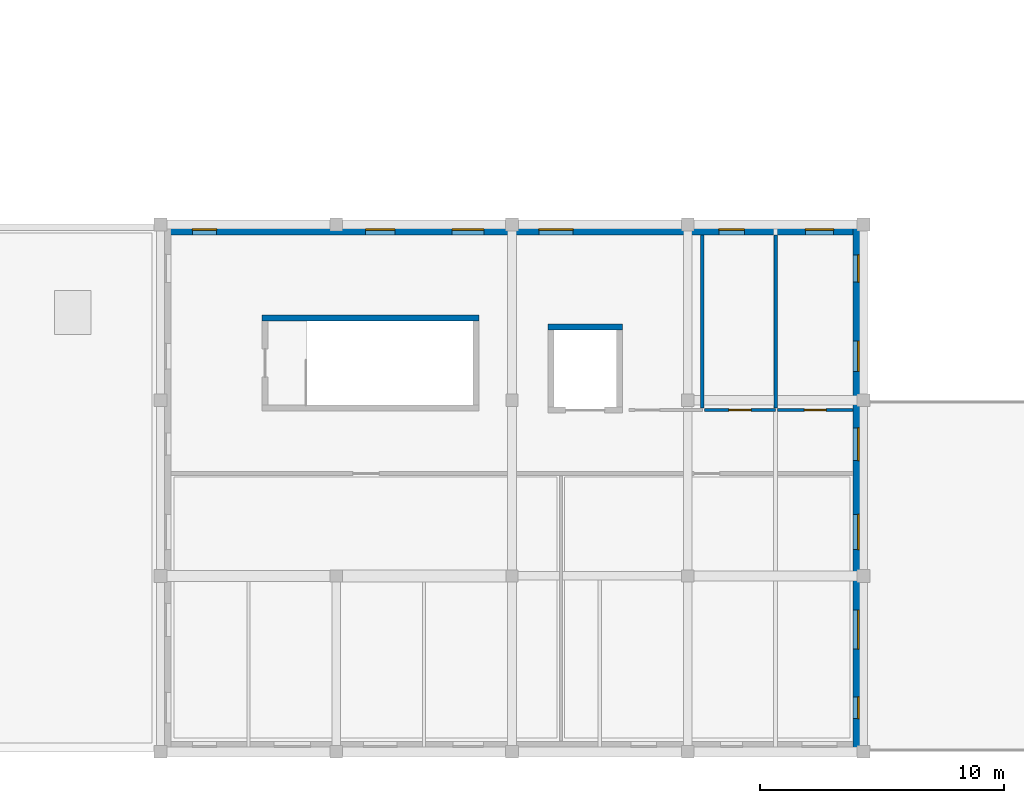
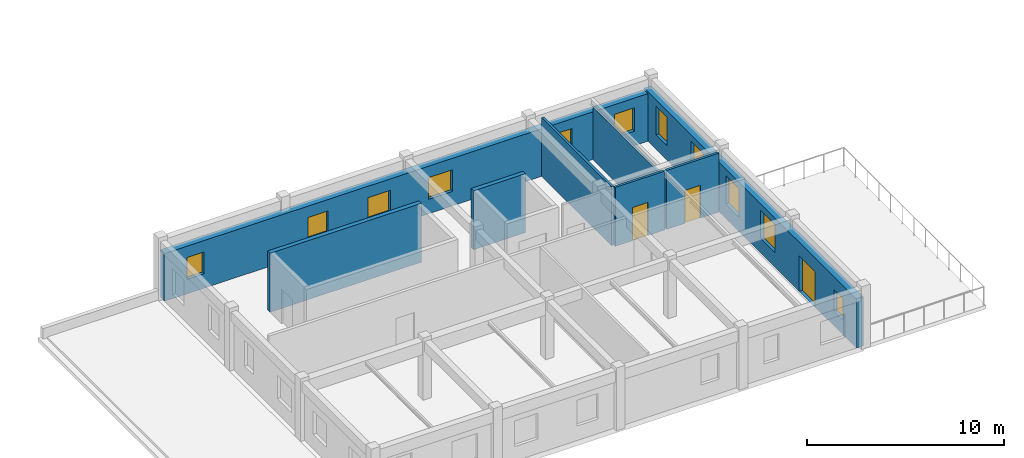
# One storey, part 10 of 20: 11 windows, 8 walls, 3 doors, 14 openings.
"""IFC4 building model written with IfcOpenShell, lengths in metres."""

from ifc_helpers import new_model, si_unit, direction, frame, frame_2d, origin, place, context, subcontext, project, spatial, rectangle, extrude, material, layer, layer_set, type_object, element, fill, save


model = new_model("IFC4")

# Units and contexts
model_context = context("Model", 3, precision=1e-05, world=origin(), true_north=direction((0.0, 1.0)))
body_context = subcontext(model_context, "Body", "Model", "MODEL_VIEW")
ifc_project = project(units=[si_unit("LENGTHUNIT", "METRE"), si_unit("AREAUNIT", "SQUARE_METRE"), si_unit("VOLUMEUNIT", "CUBIC_METRE"), si_unit("PLANEANGLEUNIT", "RADIAN"), si_unit("MASSUNIT", "GRAM", prefix="KILO")], contexts=[model_context])

# Site, building, storey
site_placement = place(None, origin())
site = spatial("IfcSite", under=ifc_project, at=site_placement, CompositionType="ELEMENT")
building_placement = place(site_placement, origin())
building = spatial("IfcBuilding", under=site, at=building_placement, Name="Bramveld Media Centre", CompositionType="ELEMENT")
storey_placement = place(building_placement, frame((0.0, 0.0, 18.0)))
storey = spatial("IfcBuildingStorey", under=building, at=storey_placement, Name="L04", CompositionType="ELEMENT", Elevation=18.0)

# Walls
ifc_material_1 = material(Name="Concrete C40/50 stair & lift core wall", Category="concrete")
ifc_layer_1 = layer(ifc_material_1, 0.25)
ifc_layer_set_1 = layer_set([ifc_layer_1], Name="Concrete C40/50 stair & lift core wall")
wall_type_1 = type_object("IfcWallType", Name="CWALL-SHEAR-250", PredefinedType="SHEAR", material=ifc_layer_set_1)
wall_1_placement = place(storey_placement, frame((78.64990234375, 17.77490234375, 0.0), z_axis=(0.0, 0.0, 1.0), x_axis=(-1.0, 0.0, 0.0)))
element("IfcWall", 1, at=wall_1_placement, inside=storey, type_object=wall_type_1, Name="ST-06 L04 stair core shear wall N", PredefinedType="SHEAR", context=body_context, shape_type="SweptSolid", body=[
    extrude(rectangle(XDim=8.89990234375, YDim=0.25, at=frame_2d((4.449951171875, 0.0))), origin(), (0.0, 0.0, 1.0), 3.659912109375),
])
wall_2_placement = place(storey_placement, frame((84.52490234375, 17.39990234375, 0.0), z_axis=(0.0, 0.0, 1.0), x_axis=(-1.0, 0.0, 0.0)))
element("IfcWall", 2, at=wall_2_placement, inside=storey, type_object=wall_type_1, Name="GL-01 L04 lift shaft wall N", PredefinedType="SHEAR", context=body_context, shape_type="SweptSolid", body=[
    extrude(rectangle(XDim=3.0498046875, YDim=0.25, at=frame_2d((1.52490234375, 0.0))), origin(), (0.0, 0.0, 1.0), 3.659912109375),
])

# Wall, openings, door, windows
ifc_material_2 = material(Name="Flemish red-brown clay facing brick cavity wall with concrete C35/45 inner leaf", Category="masonry")
ifc_layer_2 = layer(ifc_material_2, 0.419921875)
ifc_layer_set_2 = layer_set([ifc_layer_2], Name="Flemish red-brown clay facing brick cavity wall with concrete C35/45 inner leaf")
wall_type_2 = type_object("IfcWallType", Name="EW-BRK-420", PredefinedType="SOLIDWALL", material=ifc_layer_set_2)
wall_3_placement = place(storey_placement, frame((94.18994140625, 21.60009765625, 0.0), z_axis=(0.0, 0.0, 1.0), x_axis=(0.0, -1.0, 0.0)))
wall_3 = element("IfcWall", 3, at=wall_3_placement, inside=storey, type_object=wall_type_2, Name="V5 L04 E facing brick exterior wall", PredefinedType="SOLIDWALL", context=body_context, shape_type="SweptSolid", body=[
    extrude(rectangle(XDim=21.60009765625, YDim=0.419921875, at=frame_2d((10.800048828125, 0.0))), origin(), (0.0, 0.0, 1.0), 3.054931640625),
])
opening_1_placement = place(wall_3_placement, frame((15.800048828125, 0.0, 0.0)))
opening_1 = element("IfcOpeningElement", 4, at=opening_1_placement, cuts=wall_3, Name="Opening TD-07", PredefinedType="OPENING", context=body_context, shape_type="SweptSolid", body=[
    extrude(rectangle(XDim=1.60009765625, YDim=2.199951171875, at=frame_2d((0.800048828125, 1.10009765625))), frame((0.0, 0.221923828125, 0.0), z_axis=(0.0, -1.0, 0.0), x_axis=(1.0, 0.0, 0.0)), (0.0, 0.0, 1.0), 0.44384765625),
])
opening_2_placement = place(wall_3_placement, frame((1.239990234375, 0.0, 0.89990234375)))
opening_2 = element("IfcOpeningElement", 5, at=opening_2_placement, cuts=wall_3, Name="Opening W-20", PredefinedType="OPENING", context=body_context, shape_type="SweptSolid", body=[
    extrude(rectangle(XDim=1.1201171875, YDim=1.75, at=frame_2d((0.56005859375, 0.875))), frame((0.0, 0.221923828125, 0.0), z_axis=(0.0, -1.0, 0.0), x_axis=(1.0, 0.0, 0.0)), (0.0, 0.0, 1.0), 0.44384765625),
])
opening_3_placement = place(wall_3_placement, frame((4.780029296875, 0.0, 0.89990234375)))
opening_3 = element("IfcOpeningElement", 6, at=opening_3_placement, cuts=wall_3, Name="Opening W-21", PredefinedType="OPENING", context=body_context, shape_type="SweptSolid", body=[
    extrude(rectangle(XDim=1.239990234375, YDim=1.75, at=frame_2d((0.6201171875, 0.875))), frame((0.0, 0.221923828125, 0.0), z_axis=(0.0, -1.0, 0.0), x_axis=(1.0, 0.0, 0.0)), (0.0, 0.0, 1.0), 0.44384765625),
])
opening_4_placement = place(wall_3_placement, frame((8.330078125, 0.0, 0.89990234375)))
opening_4 = element("IfcOpeningElement", 7, at=opening_4_placement, cuts=wall_3, Name="Opening W-22", PredefinedType="OPENING", context=body_context, shape_type="SweptSolid", body=[
    extrude(rectangle(XDim=1.340087890625, YDim=1.75, at=frame_2d((0.669921875, 0.875))), frame((0.0, 0.221923828125, 0.0), z_axis=(0.0, -1.0, 0.0), x_axis=(1.0, 0.0, 0.0)), (0.0, 0.0, 1.0), 0.44384765625),
])
opening_5_placement = place(wall_3_placement, frame((11.8798828125, 0.0, 0.89990234375)))
opening_5 = element("IfcOpeningElement", 8, at=opening_5_placement, cuts=wall_3, Name="Opening W-23", PredefinedType="OPENING", context=body_context, shape_type="SweptSolid", body=[
    extrude(rectangle(XDim=1.43994140625, YDim=1.75, at=frame_2d((0.719970703125, 0.875))), frame((0.0, 0.221923828125, 0.0), z_axis=(0.0, -1.0, 0.0), x_axis=(1.0, 0.0, 0.0)), (0.0, 0.0, 1.0), 0.44384765625),
])
opening_6_placement = place(wall_3_placement, frame((19.35009765625, 0.0, 0.89990234375)))
opening_6 = element("IfcOpeningElement", 9, at=opening_6_placement, cuts=wall_3, Name="Opening W-01", PredefinedType="OPENING", context=body_context, shape_type="SweptSolid", body=[
    extrude(rectangle(XDim=0.89990234375, YDim=1.35009765625, at=frame_2d((0.449951171875, 0.675048828125))), frame((0.0, 0.221923828125, 0.0), z_axis=(0.0, -1.0, 0.0), x_axis=(1.0, 0.0, 0.0)), (0.0, 0.0, 1.0), 0.44384765625),
])
ifc_material_3 = material(Name="Insulated powder-coated bronze aluminium & laminated safety glass door", Category="aluminium")
door_type_1 = type_object("IfcDoorType", Name="DR-TER-1600", OperationType="NOTDEFINED", PredefinedType="DOOR", material=ifc_material_3)
door_1_placement = place(opening_1_placement, origin())
door_1 = element("IfcDoor", 10, at=door_1_placement, inside=storey, type_object=door_type_1, Name="Exterior door TD-07", OperationType="SINGLE_SWING_LEFT", OverallHeight=2.199951171875, OverallWidth=1.60009765625, PredefinedType="DOOR", context=body_context, shape_type="SweptSolid", body=[
    extrude(rectangle(XDim=1.60009765625, YDim=2.199951171875, at=frame_2d((0.800048828125, 1.10009765625))), frame((0.0, 0.02490234375, 0.0), z_axis=(0.0, -1.0, 0.0), x_axis=(1.0, 0.0, 0.0)), (0.0, 0.0, 1.0), 0.050048828125),
])
fill(opening_1, door_1)
ifc_material_4 = material(Name="Thermally broken anodized bronze aluminium frame with triple acoustic glazing", Category="aluminium")
window_type_1 = type_object("IfcWindowType", Name="WIN-FAC-01", PartitioningType="SINGLE_PANEL", PredefinedType="WINDOW", material=ifc_material_4)
window_1_placement = place(opening_6_placement, origin())
window_1 = element("IfcWindow", 11, at=window_1_placement, inside=storey, type_object=window_type_1, Name="V5 L04 E acoustic facade window", OverallHeight=1.35009765625, OverallWidth=0.89990234375, PartitioningType="SINGLE_PANEL", PredefinedType="WINDOW", context=body_context, shape_type="SweptSolid", body=[
    extrude(rectangle(XDim=0.89990234375, YDim=1.35009765625, at=frame_2d((0.449951171875, 0.675048828125))), frame((0.0, 0.030029296875, 0.0), z_axis=(0.0, -1.0, 0.0), x_axis=(1.0, 0.0, 0.0)), (0.0, 0.0, 1.0), 0.06005859375),
])
fill(opening_6, window_1)
ifc_material_5 = material(Name="Thermally broken anodized bronze aluminium frame with triple acoustic glazing", Category="aluminium")
window_type_2 = type_object("IfcWindowType", Name="WIN-FAC-20", PartitioningType="SINGLE_PANEL", PredefinedType="WINDOW", material=ifc_material_5)
window_2_placement = place(opening_2_placement, origin())
window_2 = element("IfcWindow", 12, at=window_2_placement, inside=storey, type_object=window_type_2, Name="V5 L04 E acoustic facade window", OverallHeight=1.75, OverallWidth=1.1201171875, PartitioningType="SINGLE_PANEL", PredefinedType="WINDOW", context=body_context, shape_type="SweptSolid", body=[
    extrude(rectangle(XDim=1.1201171875, YDim=1.75, at=frame_2d((0.56005859375, 0.875))), frame((0.0, 0.030029296875, 0.0), z_axis=(0.0, -1.0, 0.0), x_axis=(1.0, 0.0, 0.0)), (0.0, 0.0, 1.0), 0.06005859375),
])
fill(opening_2, window_2)
ifc_material_6 = material(Name="Thermally broken anodized bronze aluminium frame with triple acoustic glazing", Category="aluminium")
window_type_3 = type_object("IfcWindowType", Name="WIN-FAC-21", PartitioningType="SINGLE_PANEL", PredefinedType="WINDOW", material=ifc_material_6)
window_3_placement = place(opening_3_placement, origin())
window_3 = element("IfcWindow", 13, at=window_3_placement, inside=storey, type_object=window_type_3, Name="V5 L04 E acoustic facade window", OverallHeight=1.75, OverallWidth=1.239990234375, PartitioningType="SINGLE_PANEL", PredefinedType="WINDOW", context=body_context, shape_type="SweptSolid", body=[
    extrude(rectangle(XDim=1.239990234375, YDim=1.75, at=frame_2d((0.6201171875, 0.875))), frame((0.0, 0.030029296875, 0.0), z_axis=(0.0, -1.0, 0.0), x_axis=(1.0, 0.0, 0.0)), (0.0, 0.0, 1.0), 0.06005859375),
])
fill(opening_3, window_3)
ifc_material_7 = material(Name="Thermally broken anodized bronze aluminium frame with triple acoustic glazing", Category="aluminium")
window_type_4 = type_object("IfcWindowType", Name="WIN-FAC-22", PartitioningType="SINGLE_PANEL", PredefinedType="WINDOW", material=ifc_material_7)
window_4_placement = place(opening_4_placement, origin())
window_4 = element("IfcWindow", 14, at=window_4_placement, inside=storey, type_object=window_type_4, Name="V5 L04 E acoustic facade window", OverallHeight=1.75, OverallWidth=1.340087890625, PartitioningType="SINGLE_PANEL", PredefinedType="WINDOW", context=body_context, shape_type="SweptSolid", body=[
    extrude(rectangle(XDim=1.340087890625, YDim=1.75, at=frame_2d((0.669921875, 0.875))), frame((0.0, 0.030029296875, 0.0), z_axis=(0.0, -1.0, 0.0), x_axis=(1.0, 0.0, 0.0)), (0.0, 0.0, 1.0), 0.06005859375),
])
fill(opening_4, window_4)
ifc_material_8 = material(Name="Thermally broken anodized bronze aluminium frame with triple acoustic glazing", Category="aluminium")
window_type_5 = type_object("IfcWindowType", Name="WIN-FAC-23", PartitioningType="SINGLE_PANEL", PredefinedType="WINDOW", material=ifc_material_8)
window_5_placement = place(opening_5_placement, origin())
window_5 = element("IfcWindow", 15, at=window_5_placement, inside=storey, type_object=window_type_5, Name="V5 L04 E acoustic facade window", OverallHeight=1.75, OverallWidth=1.43994140625, PartitioningType="SINGLE_PANEL", PredefinedType="WINDOW", context=body_context, shape_type="SweptSolid", body=[
    extrude(rectangle(XDim=1.43994140625, YDim=1.75, at=frame_2d((0.719970703125, 0.875))), frame((0.0, 0.030029296875, 0.0), z_axis=(0.0, -1.0, 0.0), x_axis=(1.0, 0.0, 0.0)), (0.0, 0.0, 1.0), 0.06005859375),
])
fill(opening_5, window_5)

# Wall, openings, windows
wall_4_placement = place(storey_placement, frame((65.60009765625, 21.389892578125, 0.0), z_axis=(0.0, 0.0, 1.0), x_axis=(1.0, 0.0, 0.0)))
wall_4 = element("IfcWall", 16, at=wall_4_placement, inside=storey, type_object=wall_type_2, Name="V5 L04 N facing brick exterior wall", PredefinedType="SOLIDWALL", context=body_context, shape_type="SweptSolid", body=[
    extrude(rectangle(XDim=28.7998046875, YDim=0.419921875, at=frame_2d((14.39990234375, 0.0))), origin(), (0.0, 0.0, 1.0), 2.955078125),
])
opening_7_placement = place(wall_4_placement, frame((1.300048828125, 0.0, 0.89990234375)))
opening_7 = element("IfcOpeningElement", 17, at=opening_7_placement, cuts=wall_4, Name="Opening W-02", PredefinedType="OPENING", context=body_context, shape_type="SweptSolid", body=[
    extrude(rectangle(XDim=1.0, YDim=1.35009765625, at=frame_2d((0.5, 0.675048828125))), frame((0.0, 0.221923828125, 0.0), z_axis=(0.0, -1.0, 0.0), x_axis=(1.0, 0.0, 0.0)), (0.0, 0.0, 1.0), 0.44384765625),
])
opening_8_placement = place(wall_4_placement, frame((8.39990234375, 0.0, 0.89990234375)))
opening_8 = element("IfcOpeningElement", 18, at=opening_8_placement, cuts=wall_4, Name="Opening W-04", PredefinedType="OPENING", context=body_context, shape_type="SweptSolid", body=[
    extrude(rectangle(XDim=1.199951171875, YDim=1.35009765625, at=frame_2d((0.60009765625, 0.675048828125))), frame((0.0, 0.221923828125, 0.0), z_axis=(0.0, -1.0, 0.0), x_axis=(1.0, 0.0, 0.0)), (0.0, 0.0, 1.0), 0.44384765625),
])
opening_9_placement = place(wall_4_placement, frame((11.949951171875, 0.0, 0.89990234375)))
opening_9 = element("IfcOpeningElement", 19, at=opening_9_placement, cuts=wall_4, Name="Opening W-05", PredefinedType="OPENING", context=body_context, shape_type="SweptSolid", body=[
    extrude(rectangle(XDim=1.300048828125, YDim=1.35009765625, at=frame_2d((0.64990234375, 0.675048828125))), frame((0.0, 0.221923828125, 0.0), z_axis=(0.0, -1.0, 0.0), x_axis=(1.0, 0.0, 0.0)), (0.0, 0.0, 1.0), 0.44384765625),
])
opening_10_placement = place(wall_4_placement, frame((15.5, 0.0, 0.89990234375)))
opening_10 = element("IfcOpeningElement", 20, at=opening_10_placement, cuts=wall_4, Name="Opening W-06", PredefinedType="OPENING", context=body_context, shape_type="SweptSolid", body=[
    extrude(rectangle(XDim=1.39990234375, YDim=1.35009765625, at=frame_2d((0.699951171875, 0.675048828125))), frame((0.0, 0.221923828125, 0.0), z_axis=(0.0, -1.0, 0.0), x_axis=(1.0, 0.0, 0.0)), (0.0, 0.0, 1.0), 0.44384765625),
])
opening_11_placement = place(wall_4_placement, frame((22.875, 0.0, 0.89990234375)))
opening_11 = element("IfcOpeningElement", 21, at=opening_11_placement, cuts=wall_4, Name="Opening W-08", PredefinedType="OPENING", context=body_context, shape_type="SweptSolid", body=[
    extrude(rectangle(XDim=1.050048828125, YDim=1.449951171875, at=frame_2d((0.52490234375, 0.72509765625))), frame((0.0, 0.221923828125, 0.0), z_axis=(0.0, -1.0, 0.0), x_axis=(1.0, 0.0, 0.0)), (0.0, 0.0, 1.0), 0.44384765625),
])
opening_12_placement = place(wall_4_placement, frame((26.425048828125, 0.0, 0.89990234375)))
opening_12 = element("IfcOpeningElement", 22, at=opening_12_placement, cuts=wall_4, Name="Opening W-09", PredefinedType="OPENING", context=body_context, shape_type="SweptSolid", body=[
    extrude(rectangle(XDim=1.14990234375, YDim=1.449951171875, at=frame_2d((0.574951171875, 0.72509765625))), frame((0.0, 0.221923828125, 0.0), z_axis=(0.0, -1.0, 0.0), x_axis=(1.0, 0.0, 0.0)), (0.0, 0.0, 1.0), 0.44384765625),
])
ifc_material_9 = material(Name="Thermally broken anodized bronze aluminium frame with triple acoustic glazing", Category="aluminium")
window_type_6 = type_object("IfcWindowType", Name="WIN-FAC-02", PartitioningType="SINGLE_PANEL", PredefinedType="WINDOW", material=ifc_material_9)
window_6_placement = place(opening_7_placement, origin())
window_6 = element("IfcWindow", 23, at=window_6_placement, inside=storey, type_object=window_type_6, Name="V5 L04 N acoustic facade window", OverallHeight=1.35009765625, OverallWidth=1.0, PartitioningType="SINGLE_PANEL", PredefinedType="WINDOW", context=body_context, shape_type="SweptSolid", body=[
    extrude(rectangle(XDim=1.0, YDim=1.35009765625, at=frame_2d((0.5, 0.675048828125))), frame((0.0, 0.030029296875, 0.0), z_axis=(0.0, -1.0, 0.0), x_axis=(1.0, 0.0, 0.0)), (0.0, 0.0, 1.0), 0.06005859375),
])
fill(opening_7, window_6)
ifc_material_10 = material(Name="Thermally broken anodized bronze aluminium frame with triple acoustic glazing", Category="aluminium")
window_type_7 = type_object("IfcWindowType", Name="WIN-FAC-04", PartitioningType="SINGLE_PANEL", PredefinedType="WINDOW", material=ifc_material_10)
window_7_placement = place(opening_8_placement, origin())
window_7 = element("IfcWindow", 24, at=window_7_placement, inside=storey, type_object=window_type_7, Name="V5 L04 N acoustic facade window", OverallHeight=1.35009765625, OverallWidth=1.199951171875, PartitioningType="SINGLE_PANEL", PredefinedType="WINDOW", context=body_context, shape_type="SweptSolid", body=[
    extrude(rectangle(XDim=1.199951171875, YDim=1.35009765625, at=frame_2d((0.60009765625, 0.675048828125))), frame((0.0, 0.030029296875, 0.0), z_axis=(0.0, -1.0, 0.0), x_axis=(1.0, 0.0, 0.0)), (0.0, 0.0, 1.0), 0.06005859375),
])
fill(opening_8, window_7)
ifc_material_11 = material(Name="Thermally broken anodized bronze aluminium frame with triple acoustic glazing", Category="aluminium")
window_type_8 = type_object("IfcWindowType", Name="WIN-FAC-05", PartitioningType="SINGLE_PANEL", PredefinedType="WINDOW", material=ifc_material_11)
window_8_placement = place(opening_9_placement, origin())
window_8 = element("IfcWindow", 25, at=window_8_placement, inside=storey, type_object=window_type_8, Name="V5 L04 N acoustic facade window", OverallHeight=1.35009765625, OverallWidth=1.300048828125, PartitioningType="SINGLE_PANEL", PredefinedType="WINDOW", context=body_context, shape_type="SweptSolid", body=[
    extrude(rectangle(XDim=1.300048828125, YDim=1.35009765625, at=frame_2d((0.64990234375, 0.675048828125))), frame((0.0, 0.030029296875, 0.0), z_axis=(0.0, -1.0, 0.0), x_axis=(1.0, 0.0, 0.0)), (0.0, 0.0, 1.0), 0.06005859375),
])
fill(opening_9, window_8)
ifc_material_12 = material(Name="Thermally broken anodized bronze aluminium frame with triple acoustic glazing", Category="aluminium")
window_type_9 = type_object("IfcWindowType", Name="WIN-FAC-06", PartitioningType="SINGLE_PANEL", PredefinedType="WINDOW", material=ifc_material_12)
window_9_placement = place(opening_10_placement, origin())
window_9 = element("IfcWindow", 26, at=window_9_placement, inside=storey, type_object=window_type_9, Name="V5 L04 N acoustic facade window", OverallHeight=1.35009765625, OverallWidth=1.39990234375, PartitioningType="SINGLE_PANEL", PredefinedType="WINDOW", context=body_context, shape_type="SweptSolid", body=[
    extrude(rectangle(XDim=1.39990234375, YDim=1.35009765625, at=frame_2d((0.699951171875, 0.675048828125))), frame((0.0, 0.030029296875, 0.0), z_axis=(0.0, -1.0, 0.0), x_axis=(1.0, 0.0, 0.0)), (0.0, 0.0, 1.0), 0.06005859375),
])
fill(opening_10, window_9)
ifc_material_13 = material(Name="Thermally broken anodized bronze aluminium frame with triple acoustic glazing", Category="aluminium")
window_type_10 = type_object("IfcWindowType", Name="WIN-FAC-08", PartitioningType="SINGLE_PANEL", PredefinedType="WINDOW", material=ifc_material_13)
window_10_placement = place(opening_11_placement, origin())
window_10 = element("IfcWindow", 27, at=window_10_placement, inside=storey, type_object=window_type_10, Name="V5 L04 N acoustic facade window", OverallHeight=1.449951171875, OverallWidth=1.050048828125, PartitioningType="SINGLE_PANEL", PredefinedType="WINDOW", context=body_context, shape_type="SweptSolid", body=[
    extrude(rectangle(XDim=1.050048828125, YDim=1.449951171875, at=frame_2d((0.52490234375, 0.72509765625))), frame((0.0, 0.030029296875, 0.0), z_axis=(0.0, -1.0, 0.0), x_axis=(1.0, 0.0, 0.0)), (0.0, 0.0, 1.0), 0.06005859375),
])
fill(opening_11, window_10)
ifc_material_14 = material(Name="Thermally broken anodized bronze aluminium frame with triple acoustic glazing", Category="aluminium")
window_type_11 = type_object("IfcWindowType", Name="WIN-FAC-09", PartitioningType="SINGLE_PANEL", PredefinedType="WINDOW", material=ifc_material_14)
window_11_placement = place(opening_12_placement, origin())
window_11 = element("IfcWindow", 28, at=window_11_placement, inside=storey, type_object=window_type_11, Name="V5 L04 N acoustic facade window", OverallHeight=1.449951171875, OverallWidth=1.14990234375, PartitioningType="SINGLE_PANEL", PredefinedType="WINDOW", context=body_context, shape_type="SweptSolid", body=[
    extrude(rectangle(XDim=1.14990234375, YDim=1.449951171875, at=frame_2d((0.574951171875, 0.72509765625))), frame((0.0, 0.030029296875, 0.0), z_axis=(0.0, -1.0, 0.0), x_axis=(1.0, 0.0, 0.0)), (0.0, 0.0, 1.0), 0.06005859375),
])
fill(opening_12, window_11)

# Wall
ifc_material_15 = material(Name="Moisture-resistant cement-board sanitary partition", Category="gypsum")
ifc_layer_3 = layer(ifc_material_15, 0.139892578125)
ifc_layer_set_3 = layer_set([ifc_layer_3], Name="Moisture-resistant cement-board sanitary partition")
wall_type_3 = type_object("IfcWallType", Name="IW-WET-140", PredefinedType="PARTITIONING", material=ifc_layer_set_3)
wall_5_placement = place(storey_placement, frame((87.800048828125, 14.080078125, 0.0), z_axis=(0.0, 0.0, 1.0), x_axis=(0.0, 1.0, 0.0)))
element("IfcWall", 29, at=wall_5_placement, inside=storey, type_object=wall_type_3, Name="Accessible WC partition wall", PredefinedType="PARTITIONING", context=body_context, shape_type="SweptSolid", body=[
    extrude(rectangle(XDim=7.08984375, YDim=0.139892578125, at=frame_2d((3.544921875, 0.0))), origin(), (0.0, 0.0, 1.0), 3.659912109375),
])

# Wall, opening, door
wall_6_placement = place(storey_placement, frame((87.8798828125, 14.0, 0.0), z_axis=(0.0, 0.0, 1.0), x_axis=(1.0, 0.0, 0.0)))
wall_6 = element("IfcWall", 30, at=wall_6_placement, inside=storey, type_object=wall_type_3, Name="Male WC partition wall", PredefinedType="PARTITIONING", context=body_context, shape_type="SweptSolid", body=[
    extrude(rectangle(XDim=2.920166015625, YDim=0.139892578125, at=frame_2d((1.4599609375, 0.0))), origin(), (0.0, 0.0, 1.0), 3.659912109375),
])
opening_13_placement = place(wall_6_placement, frame((1.0048828125, 0.0, 0.0)))
opening_13 = element("IfcOpeningElement", 31, at=opening_13_placement, cuts=wall_6, Name="Opening D-04-175", PredefinedType="OPENING", context=body_context, shape_type="SweptSolid", body=[
    extrude(rectangle(XDim=0.909912109375, YDim=2.06005859375, at=frame_2d((0.455078125, 1.030029296875))), frame((0.0, 0.08203125, 0.0), z_axis=(0.0, -1.0, 0.0), x_axis=(1.0, 0.0, 0.0)), (0.0, 0.0, 1.0), 0.163818359375),
])
ifc_material_16 = material(Name="Solid-core European oak acoustic timber leaf in steel frame", Category="steel")
door_type_2 = type_object("IfcDoorType", Name="DR-WC-0910", OperationType="NOTDEFINED", PredefinedType="DOOR", material=ifc_material_16)
door_2_placement = place(opening_13_placement, origin())
door_2 = element("IfcDoor", 32, at=door_2_placement, inside=storey, type_object=door_type_2, Name="Male WC entrance door", OperationType="SINGLE_SWING_LEFT", OverallHeight=2.06005859375, OverallWidth=0.909912109375, PredefinedType="DOOR", context=body_context, shape_type="SweptSolid", body=[
    extrude(rectangle(XDim=0.909912109375, YDim=2.06005859375, at=frame_2d((0.455078125, 1.030029296875))), frame((0.0, 0.02490234375, 0.0), z_axis=(0.0, -1.0, 0.0), x_axis=(1.0, 0.0, 0.0)), (0.0, 0.0, 1.0), 0.050048828125),
])
fill(opening_13, door_2)

# Wall
wall_7_placement = place(storey_placement, frame((90.800048828125, 14.080078125, 0.0), z_axis=(0.0, 0.0, 1.0), x_axis=(0.0, 1.0, 0.0)))
element("IfcWall", 33, at=wall_7_placement, inside=storey, type_object=wall_type_3, Name="Male WC partition wall", PredefinedType="PARTITIONING", context=body_context, shape_type="SweptSolid", body=[
    extrude(rectangle(XDim=7.08984375, YDim=0.139892578125, at=frame_2d((3.544921875, 0.0))), origin(), (0.0, 0.0, 1.0), 3.27490234375),
])

# Wall, opening, door
wall_8_placement = place(storey_placement, frame((90.8798828125, 14.0, 0.0), z_axis=(0.0, 0.0, 1.0), x_axis=(1.0, 0.0, 0.0)))
wall_8 = element("IfcWall", 34, at=wall_8_placement, inside=storey, type_object=wall_type_3, Name="Female WC partition wall", PredefinedType="PARTITIONING", context=body_context, shape_type="SweptSolid", body=[
    extrude(rectangle(XDim=3.090087890625, YDim=0.139892578125, at=frame_2d((1.544921875, 0.0))), origin(), (0.0, 0.0, 1.0), 3.659912109375),
])
opening_14_placement = place(wall_8_placement, frame((1.10009765625, 0.0, 0.0)))
opening_14 = element("IfcOpeningElement", 35, at=opening_14_placement, cuts=wall_8, Name="Opening D-04-176", PredefinedType="OPENING", context=body_context, shape_type="SweptSolid", body=[
    extrude(rectangle(XDim=0.889892578125, YDim=2.050048828125, at=frame_2d((0.44482421875, 1.02490234375))), frame((0.0, 0.08203125, 0.0), z_axis=(0.0, -1.0, 0.0), x_axis=(1.0, 0.0, 0.0)), (0.0, 0.0, 1.0), 0.163818359375),
])
ifc_material_17 = material(Name="Solid-core European oak acoustic timber leaf in steel frame", Category="steel")
door_type_3 = type_object("IfcDoorType", Name="DR-WC-0890", OperationType="NOTDEFINED", PredefinedType="DOOR", material=ifc_material_17)
door_3_placement = place(opening_14_placement, origin())
door_3 = element("IfcDoor", 36, at=door_3_placement, inside=storey, type_object=door_type_3, Name="Female WC entrance door", OperationType="SINGLE_SWING_RIGHT", OverallHeight=2.050048828125, OverallWidth=0.889892578125, PredefinedType="DOOR", context=body_context, shape_type="SweptSolid", body=[
    extrude(rectangle(XDim=0.889892578125, YDim=2.050048828125, at=frame_2d((0.44482421875, 1.02490234375))), frame((0.0, 0.02490234375, 0.0), z_axis=(0.0, -1.0, 0.0), x_axis=(1.0, 0.0, 0.0)), (0.0, 0.0, 1.0), 0.050048828125),
])
fill(opening_14, door_3)

save(model, "model.ifc")
